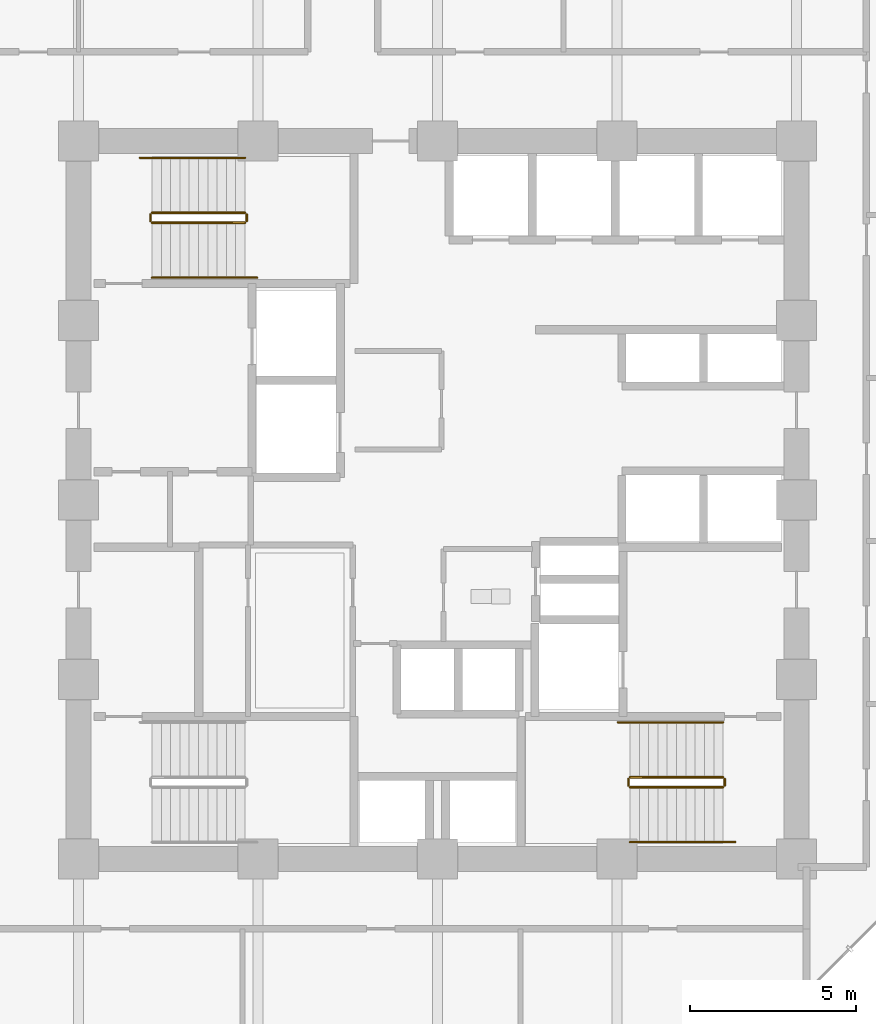
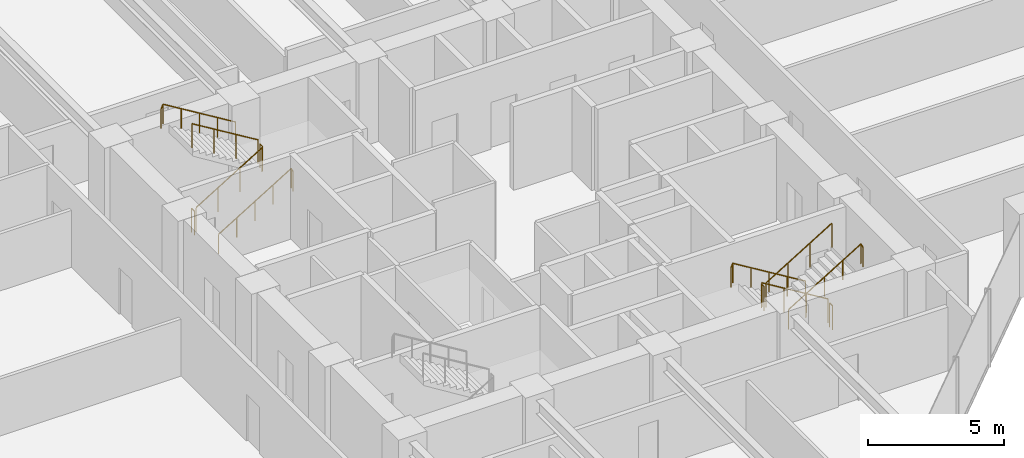
# One storey, part 25 of 26: 12 railings.
"""IFC4 building model written with IfcOpenShell, lengths in metres."""

from ifc_helpers import new_model, si_unit, direction, frame, origin, origin_2d, place, context, subcontext, project, spatial, circle, extrude, material, type_object, element, save


model = new_model("IFC4")

# Units and contexts
model_context = context("Model", 3, precision=1e-05, world=origin(), true_north=direction((0.0, 1.0)))
body_context = subcontext(model_context, "Body", "Model", "MODEL_VIEW")
ifc_project = project(units=[si_unit("LENGTHUNIT", "METRE"), si_unit("AREAUNIT", "SQUARE_METRE"), si_unit("VOLUMEUNIT", "CUBIC_METRE"), si_unit("PLANEANGLEUNIT", "RADIAN"), si_unit("MASSUNIT", "GRAM", prefix="KILO")], contexts=[model_context])

# Site, building, storey
site_placement = place(None, origin())
site = spatial("IfcSite", under=ifc_project, at=site_placement, CompositionType="ELEMENT")
building_placement = place(site_placement, origin())
building = spatial("IfcBuilding", under=site, at=building_placement, Name="Surkhivell Harbour Commons", CompositionType="ELEMENT")
storey_placement = place(building_placement, frame((0.0, 0.0, 75.0)))
storey = spatial("IfcBuildingStorey", under=building, at=storey_placement, Name="L19", CompositionType="ELEMENT", Elevation=75.0)

# Railings
ifc_material_1 = material(Name="Galvanised and painted steel S355 guard rail", Category="steel")
railing_type_1 = type_object("IfcRailingType", Name="RAL-ST-GRD1100", PredefinedType="GUARDRAIL", material=ifc_material_1)
railing_1_placement = place(storey_placement, frame((-8.590087890625, 8.340087890625, 0.17041015625)))
element("IfcRailing", 1, at=railing_1_placement, inside=storey, type_object=railing_type_1, Name="L19 ST1 stair guard 1", PredefinedType="GUARDRAIL", context=body_context, shape_type="SweptSolid", body=[
    extrude(circle(Radius=0.02392578125, at=origin_2d()), frame((0.0, 0.0, 1.076171875), z_axis=(0.854169791009, 0.0, 0.51999420009), x_axis=(0.0, 1.0, 0.0)), (0.0, 0.0, 1.0), 3.278076171875),
    extrude(circle(Radius=0.02099609375, at=origin_2d()), origin(), (0.0, 0.0, 1.0), 1.052001953125),
    extrude(circle(Radius=0.02099609375, at=origin_2d()), frame((0.933349609375, 0.0, 0.568115234375)), (0.0, 0.0, 1.0), 1.052001953125),
    extrude(circle(Radius=0.02099609375, at=origin_2d()), frame((1.86669921875, 0.0, 1.136474609375)), (0.0, 0.0, 1.0), 1.052001953125),
    extrude(circle(Radius=0.02099609375, at=origin_2d()), frame((2.800048828125, 0.0, 1.70458984375)), (0.0, 0.0, 1.0), 1.052001953125),
])
railing_2_placement = place(storey_placement, frame((-5.739990234375, 8.389892578125, 1.875)))
element("IfcRailing", 2, at=railing_2_placement, inside=storey, type_object=railing_type_1, Name="L19 ST1 stair guard 2", PredefinedType="GUARDRAIL", context=body_context, shape_type="SweptSolid", body=[
    extrude(circle(Radius=0.02392578125, at=origin_2d()), frame((0.0, 0.0, 1.076171875), z_axis=(0.0, 1.0, 0.0), x_axis=(-1.0, 0.0, 0.0)), (0.0, 0.0, 1.0), 0.2001953125),
    extrude(circle(Radius=0.02099609375, at=origin_2d()), origin(), (0.0, 0.0, 1.0), 1.052001953125),
    extrude(circle(Radius=0.02099609375, at=origin_2d()), frame((0.0, 0.2001953125, 0.0)), (0.0, 0.0, 1.0), 1.052001953125),
])
railing_3_placement = place(storey_placement, frame((-5.7900390625, 8.639892578125, 2.04541015625)))
element("IfcRailing", 3, at=railing_3_placement, inside=storey, type_object=railing_type_1, Name="L19 ST1 stair guard 3", PredefinedType="GUARDRAIL", context=body_context, shape_type="SweptSolid", body=[
    extrude(circle(Radius=0.02392578125, at=origin_2d()), frame((0.0, 0.0, 1.076171875), z_axis=(-0.854169791009, 0.0, 0.51999420009), x_axis=(0.0, -1.0, 0.0)), (0.0, 0.0, 1.0), 3.278076171875),
    extrude(circle(Radius=0.02099609375, at=origin_2d()), origin(), (0.0, 0.0, 1.0), 1.052001953125),
    extrude(circle(Radius=0.02099609375, at=origin_2d()), frame((-0.933349609375, 0.0, 0.568115234375)), (0.0, 0.0, 1.0), 1.052001953125),
    extrude(circle(Radius=0.02099609375, at=origin_2d()), frame((-1.86669921875, 0.0, 1.136474609375)), (0.0, 0.0, 1.0), 1.052001953125),
    extrude(circle(Radius=0.02099609375, at=origin_2d()), frame((-2.800048828125, 0.0, 1.70458984375)), (0.0, 0.0, 1.0), 1.052001953125),
])
railing_4_placement = place(storey_placement, frame((-8.639892578125, 8.389892578125, 0.0)))
element("IfcRailing", 4, at=railing_4_placement, inside=storey, type_object=railing_type_1, Name="L19 ST1 stair guard 4", PredefinedType="GUARDRAIL", context=body_context, shape_type="SweptSolid", body=[
    extrude(circle(Radius=0.02392578125, at=origin_2d()), frame((0.0, 0.0, 1.076171875), z_axis=(0.0, 1.0, 0.0), x_axis=(-1.0, 0.0, 0.0)), (0.0, 0.0, 1.0), 0.2001953125),
    extrude(circle(Radius=0.02099609375, at=origin_2d()), origin(), (0.0, 0.0, 1.0), 1.052001953125),
    extrude(circle(Radius=0.02099609375, at=origin_2d()), frame((0.0, 0.2001953125, 0.0)), (0.0, 0.0, 1.0), 1.052001953125),
])
railing_5_placement = place(storey_placement, frame((8.590087890625, -8.340087890625, 0.17041015625)))
element("IfcRailing", 5, at=railing_5_placement, inside=storey, type_object=railing_type_1, Name="L19 ST2 stair guard 1", PredefinedType="GUARDRAIL", context=body_context, shape_type="SweptSolid", body=[
    extrude(circle(Radius=0.02392578125, at=origin_2d()), frame((0.0, 0.0, 1.076171875), z_axis=(-0.854169791009, 0.0, 0.51999420009), x_axis=(0.0, -1.0, 0.0)), (0.0, 0.0, 1.0), 3.278076171875),
    extrude(circle(Radius=0.02099609375, at=origin_2d()), origin(), (0.0, 0.0, 1.0), 1.052001953125),
    extrude(circle(Radius=0.02099609375, at=origin_2d()), frame((-0.933349609375, 0.0, 0.568115234375)), (0.0, 0.0, 1.0), 1.052001953125),
    extrude(circle(Radius=0.02099609375, at=origin_2d()), frame((-1.86669921875, 0.0, 1.136474609375)), (0.0, 0.0, 1.0), 1.052001953125),
    extrude(circle(Radius=0.02099609375, at=origin_2d()), frame((-2.800048828125, 0.0, 1.70458984375)), (0.0, 0.0, 1.0), 1.052001953125),
])
railing_6_placement = place(storey_placement, frame((5.739990234375, -8.389892578125, 1.875)))
element("IfcRailing", 6, at=railing_6_placement, inside=storey, type_object=railing_type_1, Name="L19 ST2 stair guard 2", PredefinedType="GUARDRAIL", context=body_context, shape_type="SweptSolid", body=[
    extrude(circle(Radius=0.02392578125, at=origin_2d()), frame((0.0, 0.0, 1.076171875), z_axis=(0.0, -1.0, 0.0), x_axis=(1.0, 0.0, 0.0)), (0.0, 0.0, 1.0), 0.2001953125),
    extrude(circle(Radius=0.02099609375, at=origin_2d()), origin(), (0.0, 0.0, 1.0), 1.052001953125),
    extrude(circle(Radius=0.02099609375, at=origin_2d()), frame((0.0, -0.2001953125, 0.0)), (0.0, 0.0, 1.0), 1.052001953125),
])
railing_7_placement = place(storey_placement, frame((5.7900390625, -8.639892578125, 2.04541015625)))
element("IfcRailing", 7, at=railing_7_placement, inside=storey, type_object=railing_type_1, Name="L19 ST2 stair guard 3", PredefinedType="GUARDRAIL", context=body_context, shape_type="SweptSolid", body=[
    extrude(circle(Radius=0.02392578125, at=origin_2d()), frame((0.0, 0.0, 1.076171875), z_axis=(0.854169791009, 0.0, 0.51999420009), x_axis=(0.0, 1.0, 0.0)), (0.0, 0.0, 1.0), 3.278076171875),
    extrude(circle(Radius=0.02099609375, at=origin_2d()), origin(), (0.0, 0.0, 1.0), 1.052001953125),
    extrude(circle(Radius=0.02099609375, at=origin_2d()), frame((0.933349609375, 0.0, 0.568115234375)), (0.0, 0.0, 1.0), 1.052001953125),
    extrude(circle(Radius=0.02099609375, at=origin_2d()), frame((1.86669921875, 0.0, 1.136474609375)), (0.0, 0.0, 1.0), 1.052001953125),
    extrude(circle(Radius=0.02099609375, at=origin_2d()), frame((2.800048828125, 0.0, 1.70458984375)), (0.0, 0.0, 1.0), 1.052001953125),
])
railing_8_placement = place(storey_placement, frame((8.639892578125, -8.389892578125, 0.0)))
element("IfcRailing", 8, at=railing_8_placement, inside=storey, type_object=railing_type_1, Name="L19 ST2 stair guard 4", PredefinedType="GUARDRAIL", context=body_context, shape_type="SweptSolid", body=[
    extrude(circle(Radius=0.02392578125, at=origin_2d()), frame((0.0, 0.0, 1.076171875), z_axis=(0.0, -1.0, 0.0), x_axis=(1.0, 0.0, 0.0)), (0.0, 0.0, 1.0), 0.2001953125),
    extrude(circle(Radius=0.02099609375, at=origin_2d()), origin(), (0.0, 0.0, 1.0), 1.052001953125),
    extrude(circle(Radius=0.02099609375, at=origin_2d()), frame((0.0, -0.2001953125, 0.0)), (0.0, 0.0, 1.0), 1.052001953125),
])
ifc_material_2 = material(Name="Brushed stainless steel S355 handrail", Category="steel")
railing_type_2 = type_object("IfcRailingType", Name="RAL-ST-HND900", PredefinedType="HANDRAIL", material=ifc_material_2)
railing_9_placement = place(storey_placement, frame((-8.590087890625, 6.68994140625, 0.17041015625)))
element("IfcRailing", 9, at=railing_9_placement, inside=storey, type_object=railing_type_2, Name="L19 ST1 stair handrail 1", PredefinedType="HANDRAIL", context=body_context, shape_type="SweptSolid", body=[
    extrude(circle(Radius=0.02392578125, at=origin_2d()), frame((0.0, 0.0, 0.8759765625), z_axis=(0.854177636135, 0.0, 0.519981313056), x_axis=(0.0, 1.0, 0.0)), (0.0, 0.0, 1.0), 3.60595703125),
    extrude(circle(Radius=0.02392578125, at=origin_2d()), frame((3.080078125, 0.0, 2.7509765625), z_axis=(0.425297416671, 0.0, -0.905053648892), x_axis=(0.0, 1.0, 0.0)), (0.0, 0.0, 1.0), 0.188232421875),
    extrude(circle(Radius=0.02099609375, at=origin_2d()), origin(), (0.0, 0.0, 1.0), 0.851806640625),
    extrude(circle(Radius=0.02099609375, at=origin_2d()), frame((0.77001953125, 0.0, 0.46875)), (0.0, 0.0, 1.0), 0.851806640625),
    extrude(circle(Radius=0.02099609375, at=origin_2d()), frame((1.5400390625, 0.0, 0.9375)), (0.0, 0.0, 1.0), 0.851806640625),
    extrude(circle(Radius=0.02099609375, at=origin_2d()), frame((2.31005859375, 0.0, 1.40625)), (0.0, 0.0, 1.0), 0.851806640625),
    extrude(circle(Radius=0.02099609375, at=origin_2d()), frame((3.080078125, 0.0, 1.875)), (0.0, 0.0, 1.0), 0.851806640625),
    extrude(circle(Radius=0.02099609375, at=origin_2d()), frame((3.16015625, 0.0, 1.70458984375)), (0.0, 0.0, 1.0), 0.851806640625),
])
railing_10_placement = place(storey_placement, frame((-5.7900390625, 10.2900390625, 2.04541015625)))
element("IfcRailing", 10, at=railing_10_placement, inside=storey, type_object=railing_type_2, Name="L19 ST1 stair handrail 2", PredefinedType="HANDRAIL", context=body_context, shape_type="SweptSolid", body=[
    extrude(circle(Radius=0.02392578125, at=origin_2d()), frame((0.0, 0.0, 0.8759765625), z_axis=(-0.854177636135, 0.0, 0.519981313056), x_axis=(0.0, -1.0, 0.0)), (0.0, 0.0, 1.0), 3.60595703125),
    extrude(circle(Radius=0.02392578125, at=origin_2d()), frame((-3.080078125, 0.0, 2.7509765625), z_axis=(-0.424234432967, 0.0, -0.905552398199), x_axis=(0.0, -1.0, 0.0)), (0.0, 0.0, 1.0), 0.188232421875),
    extrude(circle(Radius=0.02099609375, at=origin_2d()), origin(), (0.0, 0.0, 1.0), 0.851806640625),
    extrude(circle(Radius=0.02099609375, at=origin_2d()), frame((-0.77001953125, 0.0, 0.46875)), (0.0, 0.0, 1.0), 0.851806640625),
    extrude(circle(Radius=0.02099609375, at=origin_2d()), frame((-1.5400390625, 0.0, 0.9375)), (0.0, 0.0, 1.0), 0.851806640625),
    extrude(circle(Radius=0.02099609375, at=origin_2d()), frame((-2.31005859375, 0.0, 1.40625)), (0.0, 0.0, 1.0), 0.851806640625),
    extrude(circle(Radius=0.02099609375, at=origin_2d()), frame((-3.080078125, 0.0, 1.875)), (0.0, 0.0, 1.0), 0.851806640625),
    extrude(circle(Radius=0.02099609375, at=origin_2d()), frame((-3.159912109375, 0.0, 1.70458984375)), (0.0, 0.0, 1.0), 0.851806640625),
])
railing_11_placement = place(storey_placement, frame((8.590087890625, -6.68994140625, 0.17041015625)))
element("IfcRailing", 11, at=railing_11_placement, inside=storey, type_object=railing_type_2, Name="L19 ST2 stair handrail 1", PredefinedType="HANDRAIL", context=body_context, shape_type="SweptSolid", body=[
    extrude(circle(Radius=0.02392578125, at=origin_2d()), frame((0.0, 0.0, 0.8759765625), z_axis=(-0.854177636135, 0.0, 0.519981313056), x_axis=(0.0, -1.0, 0.0)), (0.0, 0.0, 1.0), 3.60595703125),
    extrude(circle(Radius=0.02392578125, at=origin_2d()), frame((-3.080078125, 0.0, 2.7509765625), z_axis=(-0.425297416671, 0.0, -0.905053648892), x_axis=(0.0, -1.0, 0.0)), (0.0, 0.0, 1.0), 0.188232421875),
    extrude(circle(Radius=0.02099609375, at=origin_2d()), origin(), (0.0, 0.0, 1.0), 0.851806640625),
    extrude(circle(Radius=0.02099609375, at=origin_2d()), frame((-0.77001953125, 0.0, 0.46875)), (0.0, 0.0, 1.0), 0.851806640625),
    extrude(circle(Radius=0.02099609375, at=origin_2d()), frame((-1.5400390625, 0.0, 0.9375)), (0.0, 0.0, 1.0), 0.851806640625),
    extrude(circle(Radius=0.02099609375, at=origin_2d()), frame((-2.31005859375, 0.0, 1.40625)), (0.0, 0.0, 1.0), 0.851806640625),
    extrude(circle(Radius=0.02099609375, at=origin_2d()), frame((-3.080078125, 0.0, 1.875)), (0.0, 0.0, 1.0), 0.851806640625),
    extrude(circle(Radius=0.02099609375, at=origin_2d()), frame((-3.16015625, 0.0, 1.70458984375)), (0.0, 0.0, 1.0), 0.851806640625),
])
railing_12_placement = place(storey_placement, frame((5.7900390625, -10.2900390625, 2.04541015625)))
element("IfcRailing", 12, at=railing_12_placement, inside=storey, type_object=railing_type_2, Name="L19 ST2 stair handrail 2", PredefinedType="HANDRAIL", context=body_context, shape_type="SweptSolid", body=[
    extrude(circle(Radius=0.02392578125, at=origin_2d()), frame((0.0, 0.0, 0.8759765625), z_axis=(0.854177636135, 0.0, 0.519981313056), x_axis=(0.0, 1.0, 0.0)), (0.0, 0.0, 1.0), 3.60595703125),
    extrude(circle(Radius=0.02392578125, at=origin_2d()), frame((3.080078125, 0.0, 2.7509765625), z_axis=(0.424234432967, 0.0, -0.905552398199), x_axis=(0.0, 1.0, 0.0)), (0.0, 0.0, 1.0), 0.188232421875),
    extrude(circle(Radius=0.02099609375, at=origin_2d()), origin(), (0.0, 0.0, 1.0), 0.851806640625),
    extrude(circle(Radius=0.02099609375, at=origin_2d()), frame((0.77001953125, 0.0, 0.46875)), (0.0, 0.0, 1.0), 0.851806640625),
    extrude(circle(Radius=0.02099609375, at=origin_2d()), frame((1.5400390625, 0.0, 0.9375)), (0.0, 0.0, 1.0), 0.851806640625),
    extrude(circle(Radius=0.02099609375, at=origin_2d()), frame((2.31005859375, 0.0, 1.40625)), (0.0, 0.0, 1.0), 0.851806640625),
    extrude(circle(Radius=0.02099609375, at=origin_2d()), frame((3.080078125, 0.0, 1.875)), (0.0, 0.0, 1.0), 0.851806640625),
    extrude(circle(Radius=0.02099609375, at=origin_2d()), frame((3.159912109375, 0.0, 1.70458984375)), (0.0, 0.0, 1.0), 0.851806640625),
])

save(model, "model.ifc")
